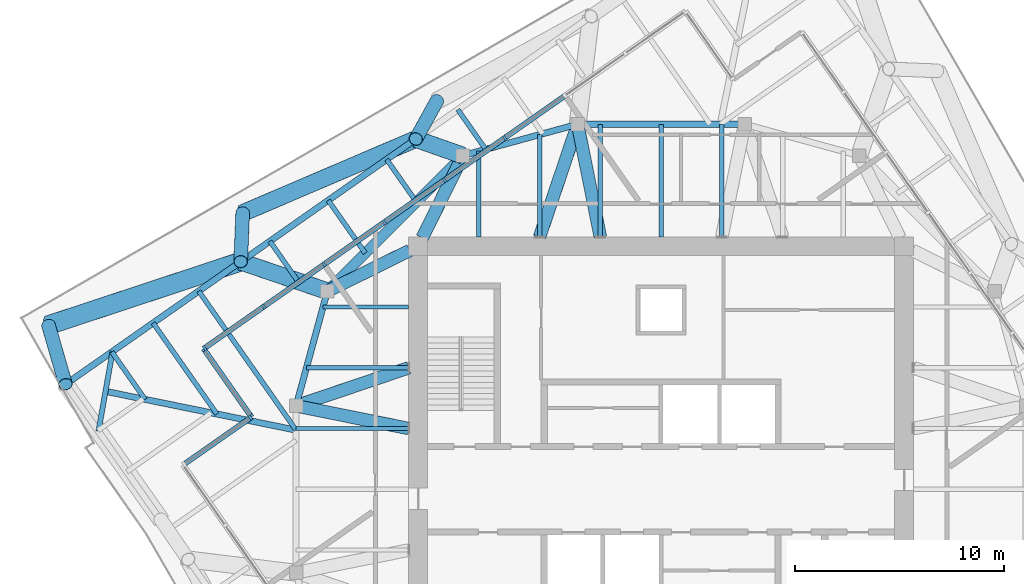
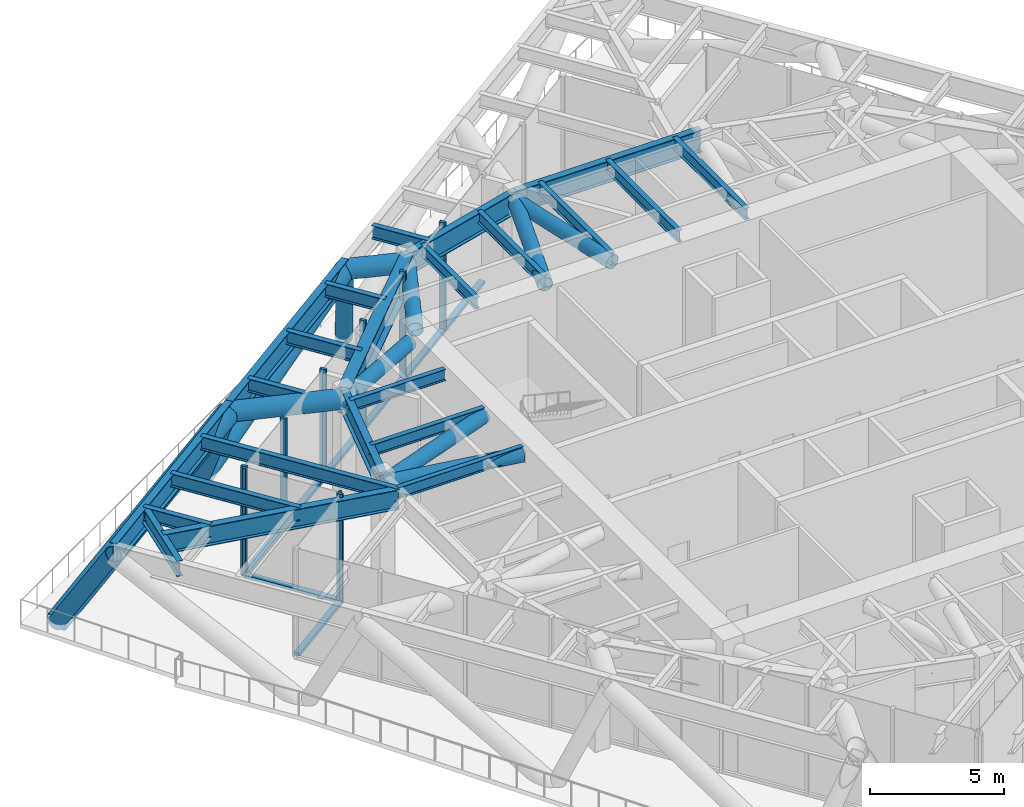
# One storey, part 4 of 16: 30 members, 23 beams, 3 elements without a shape of their own.
"""IFC4 building model written with IfcOpenShell, lengths in metres."""

from ifc_helpers import new_model, si_unit, direction, frame, origin, origin_2d, place, context, subcontext, project, spatial, rectangle, hollow_circle, i_section, extrude, material, material_profile, profile_set, type_object, element, aggregate, save


model = new_model("IFC4")

# Units and contexts
model_context = context("Model", 3, precision=1e-05, world=origin(), true_north=direction((0.0, 1.0)))
body_context = subcontext(model_context, "Body", "Model", "MODEL_VIEW")
ifc_project = project(units=[si_unit("LENGTHUNIT", "METRE"), si_unit("AREAUNIT", "SQUARE_METRE"), si_unit("VOLUMEUNIT", "CUBIC_METRE"), si_unit("PLANEANGLEUNIT", "RADIAN"), si_unit("MASSUNIT", "GRAM", prefix="KILO")], contexts=[model_context])

# Site, building, storey
site_placement = place(None, origin())
site = spatial("IfcSite", under=ifc_project, at=site_placement, CompositionType="ELEMENT")
building_placement = place(site_placement, origin())
building = spatial("IfcBuilding", under=site, at=building_placement, Name="Torsade Residences", CompositionType="ELEMENT")
storey_placement = place(building_placement, frame((0.0, 0.0, 235.39990234375)))
storey = spatial("IfcBuildingStorey", under=building, at=storey_placement, Name="L65", CompositionType="ELEMENT", Elevation=235.39990234375)

# Beams
ifc_material_1 = material(Name="Steel grade 300", Category="steel")
ifc_material_profile_1 = material_profile(ifc_material_1, i_section(OverallWidth=0.300048828125, OverallDepth=0.89990234375, WebThickness=0.011962890625, FlangeThickness=0.02490234375, at=origin_2d()), Name="900WB175")
ifc_profile_set_1 = profile_set([ifc_material_profile_1], Name="Steel grade 300")
beam_type_1 = type_object("IfcBeamType", Name="CORNER GIRDER 900WB175", PredefinedType="BEAM", material=ifc_profile_set_1)
beam_1_placement = place(storey_placement, frame((13.364013671875, 34.696533203125, 4.400146484375), z_axis=(0.979880626756, -0.199584461589, 0.0), x_axis=(0.199584461589, 0.979880626756, 0.0)))
element("IfcBeam", 1, at=beam_1_placement, inside=storey, type_object=beam_type_1, Name="Corner girder 13 L66", PredefinedType="BEAM", context=body_context, shape_type="SweptSolid", body=[
    extrude(i_section(OverallWidth=0.300048828125, OverallDepth=0.89990234375, WebThickness=0.011962890625, FlangeThickness=0.02490234375, at=origin_2d()), origin(), (0.0, 0.0, 1.0), 9.323486328125),
])
ifc_material_2 = material(Name="Steel grade 300", Category="steel")
ifc_material_profile_2 = material_profile(ifc_material_2, i_section(OverallWidth=0.25, OverallDepth=0.699951171875, WebThickness=0.010009765625, FlangeThickness=0.02001953125, at=origin_2d()), Name="700WB130")
ifc_profile_set_2 = profile_set([ifc_material_profile_2], Name="Steel grade 300")
beam_type_2 = type_object("IfcBeamType", Name="CORNER TRIMMER 700WB130", PredefinedType="BEAM", material=ifc_profile_set_2)
beam_2_placement = place(storey_placement, frame((13.0263671875, 32.78173828125, 4.5), z_axis=(0.173645660267, 0.984808196894, 0.0), x_axis=(-0.984808196894, 0.173645660267, 0.0)))
element("IfcBeam", 2, at=beam_2_placement, inside=storey, type_object=beam_type_2, Name="Corner trimmer 13 L66", PredefinedType="BEAM", context=body_context, shape_type="SweptSolid", body=[
    extrude(i_section(OverallWidth=0.25, OverallDepth=0.699951171875, WebThickness=0.010009765625, FlangeThickness=0.02001953125, at=origin_2d()), origin(), (0.0, 0.0, 1.0), 3.888916015625),
])

# Curtain wall, members
ifc_material_3 = material(Name="Aluminium and glass", Category="aluminium")
curtain_wall_type = type_object("IfcCurtainWallType", Name="TRANSFER LEVEL CURTAIN WALL HIGH ZONE", PredefinedType="NOTDEFINED", material=ifc_material_3)
curtain_wall_1_placement = place(storey_placement, origin())
curtain_wall_1 = element("IfcCurtainWall", 3, at=curtain_wall_1_placement, inside=storey, type_object=curtain_wall_type, Name="Curtain wall L65 face 7", PredefinedType="NOTDEFINED")
ifc_material_4 = material(Name="Aluminium mullion", Category="aluminium")
ifc_material_profile_3 = material_profile(ifc_material_4, rectangle(XDim=0.25, YDim=0.1201171875, at=origin_2d()), Name="HIGH ZONE TRANSFER CURTAIN WALL MULLION 250x120")
ifc_profile_set_3 = profile_set([ifc_material_profile_3], Name="Aluminium mullion")
member_type_1 = type_object("IfcMemberType", Name="HIGH ZONE TRANSFER CURTAIN WALL MULLION 250x120", PredefinedType="MULLION", material=ifc_profile_set_3)
member_1_placement = place(storey_placement, frame((32.505859375, 46.848388671875, 0.0), z_axis=(0.0, 0.0, 1.0), x_axis=(0.57357645894, -0.819152028472, 0.0)))
member_1 = element("IfcMember", 4, at=member_1_placement, type_object=member_type_1, Name="Mullion 4", PredefinedType="MULLION", context=body_context, shape_type="SweptSolid", body=[
    extrude(rectangle(XDim=0.25, YDim=0.1201171875, at=origin_2d()), origin(), (0.0, 0.0, 1.0), 5.0),
])
member_2_placement = place(storey_placement, frame((29.6181640625, 44.82666015625, 0.0), z_axis=(0.0, 0.0, 1.0), x_axis=(0.57357645894, -0.819152028472, 0.0)))
member_2 = element("IfcMember", 5, at=member_2_placement, type_object=member_type_1, Name="Mullion 5", PredefinedType="MULLION", context=body_context, shape_type="SweptSolid", body=[
    extrude(rectangle(XDim=0.25, YDim=0.1201171875, at=origin_2d()), origin(), (0.0, 0.0, 1.0), 5.0),
])
member_3_placement = place(storey_placement, frame((26.730712890625, 42.8046875, 0.0), z_axis=(0.0, 0.0, 1.0), x_axis=(0.57357645894, -0.819152028472, 0.0)))
member_3 = element("IfcMember", 6, at=member_3_placement, type_object=member_type_1, Name="Mullion 6", PredefinedType="MULLION", context=body_context, shape_type="SweptSolid", body=[
    extrude(rectangle(XDim=0.25, YDim=0.1201171875, at=origin_2d()), origin(), (0.0, 0.0, 1.0), 5.0),
])
member_4_placement = place(storey_placement, frame((23.84326171875, 40.782958984375, 0.0), z_axis=(0.0, 0.0, 1.0), x_axis=(0.57357645894, -0.819152028472, 0.0)))
member_4 = element("IfcMember", 7, at=member_4_placement, type_object=member_type_1, Name="Mullion 7", PredefinedType="MULLION", context=body_context, shape_type="SweptSolid", body=[
    extrude(rectangle(XDim=0.25, YDim=0.1201171875, at=origin_2d()), origin(), (0.0, 0.0, 1.0), 5.0),
])
member_5_placement = place(storey_placement, frame((20.955810546875, 38.760986328125, 0.0), z_axis=(0.0, 0.0, 1.0), x_axis=(0.57357645894, -0.819152028472, 0.0)))
member_5 = element("IfcMember", 8, at=member_5_placement, type_object=member_type_1, Name="Mullion 8", PredefinedType="MULLION", context=body_context, shape_type="SweptSolid", body=[
    extrude(rectangle(XDim=0.25, YDim=0.1201171875, at=origin_2d()), origin(), (0.0, 0.0, 1.0), 5.0),
])
member_6_placement = place(storey_placement, frame((18.117431640625, 36.773681640625, 0.0), z_axis=(0.0, 0.0, 1.0), x_axis=(0.57357645894, -0.819152028472, 0.0)))
member_6 = element("IfcMember", 9, at=member_6_placement, type_object=member_type_1, Name="Mullion 9", PredefinedType="MULLION", context=body_context, shape_type="SweptSolid", body=[
    extrude(rectangle(XDim=0.25, YDim=0.1201171875, at=origin_2d()), origin(), (0.0, 0.0, 1.0), 5.0),
])

curtain_wall_2_placement = place(storey_placement, origin())
curtain_wall_2 = element("IfcCurtainWall", 10, at=curtain_wall_2_placement, inside=storey, type_object=curtain_wall_type, Name="Curtain wall L65 face 8", PredefinedType="NOTDEFINED")
member_7_placement = place(storey_placement, frame((18.1025390625, 36.690185546875, 0.0), z_axis=(0.0, 0.0, 1.0), x_axis=(0.819152117278, 0.573576332112, 0.0)))
member_7 = element("IfcMember", 11, at=member_7_placement, type_object=member_type_1, Name="Mullion 1", PredefinedType="MULLION", context=body_context, shape_type="SweptSolid", body=[
    extrude(rectangle(XDim=0.25, YDim=0.1201171875, at=origin_2d()), origin(), (0.0, 0.0, 1.0), 5.0),
])
member_8_placement = place(storey_placement, frame((20.328125, 33.51171875, 0.0), z_axis=(0.0, 0.0, 1.0), x_axis=(0.819152117278, 0.573576332112, 0.0)))
member_8 = element("IfcMember", 12, at=member_8_placement, type_object=member_type_1, Name="Mullion 2", PredefinedType="MULLION", context=body_context, shape_type="SweptSolid", body=[
    extrude(rectangle(XDim=0.25, YDim=0.1201171875, at=origin_2d()), origin(), (0.0, 0.0, 1.0), 5.0),
])

# Curtain wall, member
curtain_wall_3_placement = place(storey_placement, origin())
curtain_wall_3 = element("IfcCurtainWall", 13, at=curtain_wall_3_placement, inside=storey, type_object=curtain_wall_type, Name="Curtain wall L65 face 9", PredefinedType="NOTDEFINED")
member_9_placement = place(storey_placement, frame((20.3134765625, 33.42822265625, 0.0), z_axis=(0.0, 0.0, 1.0), x_axis=(0.573576499872, -0.819151999811, 0.0)))
member_9 = element("IfcMember", 14, at=member_9_placement, type_object=member_type_1, Name="Mullion 1", PredefinedType="MULLION", context=body_context, shape_type="SweptSolid", body=[
    extrude(rectangle(XDim=0.25, YDim=0.1201171875, at=origin_2d()), origin(), (0.0, 0.0, 1.0), 5.0),
])

# Member
ifc_material_5 = material(Name="Aluminium transom", Category="aluminium")
ifc_material_profile_4 = material_profile(ifc_material_5, rectangle(XDim=0.25, YDim=0.139892578125, at=origin_2d()), Name="HIGH ZONE TRANSFER CURTAIN WALL TRANSOM 250x140")
ifc_profile_set_4 = profile_set([ifc_material_profile_4], Name="Aluminium transom")
member_type_2 = type_object("IfcMemberType", Name="HIGH ZONE TRANSFER CURTAIN WALL TRANSOM 250x140", PredefinedType="USERDEFINED", material=ifc_profile_set_4)
member_10_placement = place(storey_placement, frame((35.34423828125, 48.8359375, 0.070068359375), z_axis=(-0.819147702826, -0.573582636552, 0.0), x_axis=(0.573582636552, -0.819147702826, 0.0)))
member_10 = element("IfcMember", 15, at=member_10_placement, type_object=member_type_2, Name="Transom 3.1", ObjectType="TRANSOM", PredefinedType="USERDEFINED", context=body_context, shape_type="SweptSolid", body=[
    extrude(rectangle(XDim=0.25, YDim=0.139892578125, at=origin_2d()), origin(), (0.0, 0.0, 1.0), 3.405029296875),
])

member_11_placement = place(storey_placement, frame((32.45654296875, 46.814208984375, 0.070068359375), z_axis=(-0.819124112374, -0.573616325192, 0.0), x_axis=(0.573616325192, -0.819124112374, 0.0)))
member_11 = element("IfcMember", 16, at=member_11_placement, type_object=member_type_2, Name="Transom 4.1", ObjectType="TRANSOM", PredefinedType="USERDEFINED", context=body_context, shape_type="SweptSolid", body=[
    extrude(rectangle(XDim=0.25, YDim=0.139892578125, at=origin_2d()), origin(), (0.0, 0.0, 1.0), 3.405029296875),
])

member_12_placement = place(storey_placement, frame((29.569091796875, 44.792236328125, 0.070068359375), z_axis=(-0.819147702826, -0.573582636552, 0.0), x_axis=(0.573582636552, -0.819147702826, 0.0)))
member_12 = element("IfcMember", 17, at=member_12_placement, type_object=member_type_2, Name="Transom 5.1", ObjectType="TRANSOM", PredefinedType="USERDEFINED", context=body_context, shape_type="SweptSolid", body=[
    extrude(rectangle(XDim=0.25, YDim=0.139892578125, at=origin_2d()), origin(), (0.0, 0.0, 1.0), 3.405029296875),
])

member_13_placement = place(storey_placement, frame((26.681640625, 42.770263671875, 0.070068359375), z_axis=(-0.819181389945, -0.573534524129, 0.0), x_axis=(0.573534524129, -0.819181389945, 0.0)))
member_13 = element("IfcMember", 18, at=member_13_placement, type_object=member_type_2, Name="Transom 6.1", ObjectType="TRANSOM", PredefinedType="USERDEFINED", context=body_context, shape_type="SweptSolid", body=[
    extrude(rectangle(XDim=0.25, YDim=0.139892578125, at=origin_2d()), origin(), (0.0, 0.0, 1.0), 3.405029296875),
])

member_14_placement = place(storey_placement, frame((23.794189453125, 40.74853515625, 0.070068359375), z_axis=(-0.819147702826, -0.573582636552, 0.0), x_axis=(0.573582636552, -0.819147702826, 0.0)))
member_14 = element("IfcMember", 19, at=member_14_placement, type_object=member_type_2, Name="Transom 7.1", ObjectType="TRANSOM", PredefinedType="USERDEFINED", context=body_context, shape_type="SweptSolid", body=[
    extrude(rectangle(XDim=0.25, YDim=0.139892578125, at=origin_2d()), origin(), (0.0, 0.0, 1.0), 3.405029296875),
])

member_15_placement = place(storey_placement, frame((20.906494140625, 38.7265625, 0.070068359375), z_axis=(-0.819166763085, -0.573555415158, 0.0), x_axis=(0.573555415158, -0.819166763085, 0.0)))
member_15 = element("IfcMember", 20, at=member_15_placement, type_object=member_type_2, Name="Transom 8.1", ObjectType="TRANSOM", PredefinedType="USERDEFINED", context=body_context, shape_type="SweptSolid", body=[
    extrude(rectangle(XDim=0.25, YDim=0.139892578125, at=origin_2d()), origin(), (0.0, 0.0, 1.0), 3.344970703125),
])

aggregate(curtain_wall_1, [member_1, member_2, member_3, member_4, member_5, member_6, member_10, member_11, member_12, member_13, member_14, member_15])

member_16_placement = place(storey_placement, frame((18.136962890625, 36.640869140625, 0.070068359375), z_axis=(0.573614860738, -0.8191251379, 0.0), x_axis=(0.8191251379, 0.573614860738, 0.0)))
member_16 = element("IfcMember", 21, at=member_16_placement, type_object=member_type_2, Name="Transom 1.1", ObjectType="TRANSOM", PredefinedType="USERDEFINED", context=body_context, shape_type="SweptSolid", body=[
    extrude(rectangle(XDim=0.25, YDim=0.139892578125, at=origin_2d()), origin(), (0.0, 0.0, 1.0), 3.760009765625),
])

aggregate(curtain_wall_2, [member_7, member_8, member_16])

member_17_placement = place(storey_placement, frame((20.26416015625, 33.393798828125, 0.070068359375), z_axis=(-0.8191251379, -0.573614860738, 0.0), x_axis=(0.573614860738, -0.8191251379, 0.0)))
member_17 = element("IfcMember", 22, at=member_17_placement, type_object=member_type_2, Name="Transom 1.1", ObjectType="TRANSOM", PredefinedType="USERDEFINED", context=body_context, shape_type="SweptSolid", body=[
    extrude(rectangle(XDim=0.25, YDim=0.139892578125, at=origin_2d()), origin(), (0.0, 0.0, 1.0), 3.760009765625),
])

aggregate(curtain_wall_3, [member_9, member_17])

# Beams
ifc_material_6 = material(Name="Steel grade 300", Category="steel")
ifc_material_profile_5 = material_profile(ifc_material_6, i_section(OverallWidth=0.208984375, OverallDepth=0.528076171875, WebThickness=0.009521484375, FlangeThickness=0.01318359375, FilletRadius=0.013916015625, at=origin_2d()), Name="530UB82.0")
ifc_profile_set_5 = profile_set([ifc_material_profile_5], Name="Steel grade 300")
beam_type_3 = type_object("IfcBeamType", Name="INNER FLOOR BEAM 530UB82.0", PredefinedType="JOIST", material=ifc_profile_set_5)
beam_3_placement = place(storey_placement, frame((31.262451171875, 42.10009765625, 4.586181640625), z_axis=(0.0, 1.0, 0.0), x_axis=(-1.0, 0.0, 0.0)))
element("IfcBeam", 23, at=beam_3_placement, inside=storey, type_object=beam_type_3, Name="Inner floor beam IN01 L66", PredefinedType="JOIST", context=body_context, shape_type="SweptSolid", body=[
    extrude(i_section(OverallWidth=0.208984375, OverallDepth=0.528076171875, WebThickness=0.009521484375, FlangeThickness=0.01318359375, FilletRadius=0.013916015625, at=origin_2d()), origin(), (0.0, 0.0, 1.0), 4.10791015625),
])
beam_4_placement = place(storey_placement, frame((34.175048828125, 42.10009765625, 4.586181640625), z_axis=(0.0, 1.0, 0.0), x_axis=(-1.0, 0.0, 0.0)))
element("IfcBeam", 24, at=beam_4_placement, inside=storey, type_object=beam_type_3, Name="Inner floor beam IN02 L66", PredefinedType="JOIST", context=body_context, shape_type="SweptSolid", body=[
    extrude(i_section(OverallWidth=0.208984375, OverallDepth=0.528076171875, WebThickness=0.009521484375, FlangeThickness=0.01318359375, FilletRadius=0.013916015625, at=origin_2d()), origin(), (0.0, 0.0, 1.0), 4.902099609375),
])
for number, where, z_axis, x_axis, name in (
    (25, (37.08740234375, 42.10009765625, 4.586181640625), (0.0, 1.0, 0.0), (-1.0, 0.0, 0.0), "Inner floor beam IN03 L66"),
    (26, (40.0, 42.10009765625, 4.586181640625), (0.0, 1.0, 0.0), (-1.0, 0.0, 0.0), "Inner floor beam IN04 L66"),
    (27, (42.91259765625, 42.10009765625, 4.586181640625), (0.0, 1.0, 0.0), (-1.0, 0.0, 0.0), "Inner floor beam IN05 L66"),
):
    element("IfcBeam", number, at=place(storey_placement, frame(where, z_axis=z_axis, x_axis=x_axis)), inside=storey, type_object=beam_type_3, Name=name, PredefinedType="JOIST", context=body_context, shape_type="SweptSolid", body=[
        extrude(i_section(OverallWidth=0.208984375, OverallDepth=0.528076171875, WebThickness=0.009521484375, FlangeThickness=0.01318359375, FilletRadius=0.013916015625, at=origin_2d()), origin(), (0.0, 0.0, 1.0), 5.39990234375),
    ])
beam_5_placement = place(storey_placement, frame((27.89990234375, 38.737548828125, 4.586181640625), z_axis=(-1.0, 0.0, 0.0), x_axis=(0.0, -1.0, 0.0)))
element("IfcBeam", 28, at=beam_5_placement, inside=storey, type_object=beam_type_3, Name="Inner floor beam IW01 L66", PredefinedType="JOIST", context=body_context, shape_type="SweptSolid", body=[
    extrude(i_section(OverallWidth=0.208984375, OverallDepth=0.528076171875, WebThickness=0.009521484375, FlangeThickness=0.01318359375, FilletRadius=0.013916015625, at=origin_2d()), origin(), (0.0, 0.0, 1.0), 4.10791015625),
])
beam_6_placement = place(storey_placement, frame((27.89990234375, 35.824951171875, 4.586181640625), z_axis=(-1.0, 0.0, 0.0), x_axis=(0.0, -1.0, 0.0)))
element("IfcBeam", 29, at=beam_6_placement, inside=storey, type_object=beam_type_3, Name="Inner floor beam IW02 L66", PredefinedType="JOIST", context=body_context, shape_type="SweptSolid", body=[
    extrude(i_section(OverallWidth=0.208984375, OverallDepth=0.528076171875, WebThickness=0.009521484375, FlangeThickness=0.01318359375, FilletRadius=0.013916015625, at=origin_2d()), origin(), (0.0, 0.0, 1.0), 4.902099609375),
])
beam_7_placement = place(storey_placement, frame((27.89990234375, 32.91259765625, 4.586181640625), z_axis=(-1.0, 0.0, 0.0), x_axis=(0.0, -1.0, 0.0)))
element("IfcBeam", 30, at=beam_7_placement, inside=storey, type_object=beam_type_3, Name="Inner floor beam IW03 L66", PredefinedType="JOIST", context=body_context, shape_type="SweptSolid", body=[
    extrude(i_section(OverallWidth=0.208984375, OverallDepth=0.528076171875, WebThickness=0.009521484375, FlangeThickness=0.01318359375, FilletRadius=0.013916015625, at=origin_2d()), origin(), (0.0, 0.0, 1.0), 5.39990234375),
])
ifc_material_7 = material(Name="Steel grade 300", Category="steel")
ifc_material_profile_6 = material_profile(ifc_material_7, i_section(OverallWidth=0.5, OverallDepth=1.199951171875, WebThickness=0.01611328125, FlangeThickness=0.0400390625, at=origin_2d()), Name="1200WB455")
ifc_profile_set_6 = profile_set([ifc_material_profile_6], Name="Steel grade 300")
beam_type_4 = type_object("IfcBeamType", Name="RING CORNER GIRDER 1200WB455", PredefinedType="BEAM", material=ifc_profile_set_6)
beam_8_placement = place(storey_placement, frame((30.5, 46.0, 4.25), z_axis=(-0.707106781187, -0.707106781187, 0.0), x_axis=(0.707106781187, -0.707106781187, 0.0)))
element("IfcBeam", 31, at=beam_8_placement, inside=storey, type_object=beam_type_4, Name="Ring girder IR07 L66", PredefinedType="BEAM", context=body_context, shape_type="SweptSolid", body=[
    extrude(i_section(OverallWidth=0.5, OverallDepth=1.199951171875, WebThickness=0.01611328125, FlangeThickness=0.0400390625, at=origin_2d()), origin(), (0.0, 0.0, 1.0), 9.1923828125),
])
ifc_material_8 = material(Name="Steel grade 300", Category="steel")
ifc_material_profile_7 = material_profile(ifc_material_8, i_section(OverallWidth=0.300048828125, OverallDepth=1.0, WebThickness=0.01611328125, FlangeThickness=0.028076171875, at=origin_2d()), Name="1000WB215")
ifc_profile_set_7 = profile_set([ifc_material_profile_7], Name="Steel grade 300")
beam_type_5 = type_object("IfcBeamType", Name="RING GIRDER 1000WB215", PredefinedType="BEAM", material=ifc_profile_set_7)
beam_9_placement = place(storey_placement, frame((44.0, 47.5, 4.35009765625), z_axis=(-1.0, 0.0, 0.0), x_axis=(0.0, -1.0, 0.0)))
element("IfcBeam", 32, at=beam_9_placement, inside=storey, type_object=beam_type_5, Name="Ring girder IR05 L66", PredefinedType="BEAM", context=body_context, shape_type="SweptSolid", body=[
    extrude(i_section(OverallWidth=0.300048828125, OverallDepth=1.0, WebThickness=0.01611328125, FlangeThickness=0.028076171875, at=origin_2d()), origin(), (0.0, 0.0, 1.0), 8.0),
])
for number, where, z_axis, x_axis, name in (
    (33, (36.0, 47.5, 4.35009765625), (-0.964763821238, -0.263117405792, 0.0), (0.263117405792, -0.964763821238, 0.0), "Ring girder IR06 L66"),
    (34, (24.0, 39.5, 4.35009765625), (-0.263117405792, -0.964763821238, 0.0), (0.964763821238, -0.263117405792, 0.0), "Ring girder IR08 L66"),
):
    element("IfcBeam", number, at=place(storey_placement, frame(where, z_axis=z_axis, x_axis=x_axis)), inside=storey, type_object=beam_type_5, Name=name, PredefinedType="BEAM", context=body_context, shape_type="SweptSolid", body=[
        extrude(i_section(OverallWidth=0.300048828125, OverallDepth=1.0, WebThickness=0.01611328125, FlangeThickness=0.028076171875, at=origin_2d()), origin(), (0.0, 0.0, 1.0), 5.700927734375),
    ])
ifc_material_9 = material(Name="Steel grade 300", Category="steel")
ifc_material_profile_8 = material_profile(ifc_material_9, i_section(OverallWidth=0.22900390625, OverallDepth=0.612060546875, WebThickness=0.011962890625, FlangeThickness=0.01953125, FilletRadius=0.013916015625, at=origin_2d()), Name="610UB125")
ifc_profile_set_8 = profile_set([ifc_material_profile_8], Name="Steel grade 300")
beam_type_6 = type_object("IfcBeamType", Name="SECONDARY BEAM 610UB125", PredefinedType="JOIST", material=ifc_profile_set_8)
beam_10_placement = place(storey_placement, frame((30.25537109375, 48.20263671875, 4.544189453125), z_axis=(0.573567996949, -0.819157953557, 0.0), x_axis=(0.819157953557, 0.573567996949, 0.0)))
element("IfcBeam", 35, at=beam_10_placement, inside=storey, type_object=beam_type_6, Name="Floor beam FN06 L66", PredefinedType="JOIST", context=body_context, shape_type="SweptSolid", body=[
    extrude(i_section(OverallWidth=0.22900390625, OverallDepth=0.612060546875, WebThickness=0.011962890625, FlangeThickness=0.01953125, FilletRadius=0.013916015625, at=origin_2d()), origin(), (0.0, 0.0, 1.0), 2.326171875),
])
beam_11_placement = place(storey_placement, frame((26.84228515625, 45.812744140625, 4.544189453125), z_axis=(0.573547823109, -0.819172078752, 0.0), x_axis=(0.819172078752, 0.573547823109, 0.0)))
element("IfcBeam", 36, at=beam_11_placement, inside=storey, type_object=beam_type_6, Name="Floor beam FN07 L66", PredefinedType="JOIST", context=body_context, shape_type="SweptSolid", body=[
    extrude(i_section(OverallWidth=0.22900390625, OverallDepth=0.612060546875, WebThickness=0.011962890625, FlangeThickness=0.01953125, FilletRadius=0.013916015625, at=origin_2d()), origin(), (0.0, 0.0, 1.0), 2.491943359375),
])
beam_12_placement = place(storey_placement, frame((24.04345703125, 43.85302734375, 4.544189453125), z_axis=(0.573600013401, -0.819135534955, 0.0), x_axis=(0.819135534955, 0.573600013401, 0.0)))
element("IfcBeam", 37, at=beam_12_placement, inside=storey, type_object=beam_type_6, Name="Floor beam FN08 L66", PredefinedType="JOIST", context=body_context, shape_type="SweptSolid", body=[
    extrude(i_section(OverallWidth=0.22900390625, OverallDepth=0.612060546875, WebThickness=0.011962890625, FlangeThickness=0.01953125, FilletRadius=0.013916015625, at=origin_2d()), origin(), (0.0, 0.0, 1.0), 3.09423828125),
])
beam_13_placement = place(storey_placement, frame((21.244873046875, 41.893310546875, 4.544189453125), z_axis=(0.573560664637, -0.819163087535, 0.0), x_axis=(0.819163087535, 0.573560664637, 0.0)))
element("IfcBeam", 38, at=beam_13_placement, inside=storey, type_object=beam_type_6, Name="Floor beam FN09 L66", PredefinedType="JOIST", context=body_context, shape_type="SweptSolid", body=[
    extrude(i_section(OverallWidth=0.22900390625, OverallDepth=0.612060546875, WebThickness=0.011962890625, FlangeThickness=0.01953125, FilletRadius=0.013916015625, at=origin_2d()), origin(), (0.0, 0.0, 1.0), 2.3330078125),
])
beam_14_placement = place(storey_placement, frame((17.83154296875, 39.50341796875, 4.544189453125), z_axis=(0.573577087251, -0.819151588523, 0.0), x_axis=(0.819151588523, 0.573577087251, 0.0)))
element("IfcBeam", 39, at=beam_14_placement, inside=storey, type_object=beam_type_6, Name="Floor beam FN10 L66", PredefinedType="JOIST", context=body_context, shape_type="SweptSolid", body=[
    extrude(i_section(OverallWidth=0.22900390625, OverallDepth=0.612060546875, WebThickness=0.011962890625, FlangeThickness=0.01953125, FilletRadius=0.013916015625, at=origin_2d()), origin(), (0.0, 0.0, 1.0), 8.13916015625),
])
beam_15_placement = place(storey_placement, frame((15.647216796875, 37.973876953125, 4.544189453125), z_axis=(0.573597638513, -0.819137197966, 0.0), x_axis=(0.819137197966, 0.573597638513, 0.0)))
element("IfcBeam", 40, at=beam_15_placement, inside=storey, type_object=beam_type_6, Name="Floor beam FN11 L66", PredefinedType="JOIST", context=body_context, shape_type="SweptSolid", body=[
    extrude(i_section(OverallWidth=0.22900390625, OverallDepth=0.612060546875, WebThickness=0.011962890625, FlangeThickness=0.01953125, FilletRadius=0.013916015625, at=origin_2d()), origin(), (0.0, 0.0, 1.0), 5.328369140625),
])
beam_16_placement = place(storey_placement, frame((13.667724609375, 36.587646484375, 4.544189453125), z_axis=(0.573521270253, -0.819190669238, 0.0), x_axis=(0.819190669238, 0.573521270253, 0.0)))
element("IfcBeam", 41, at=beam_16_placement, inside=storey, type_object=beam_type_6, Name="Floor beam FN12 L66", PredefinedType="JOIST", context=body_context, shape_type="SweptSolid", body=[
    extrude(i_section(OverallWidth=0.22900390625, OverallDepth=0.612060546875, WebThickness=0.011962890625, FlangeThickness=0.01953125, FilletRadius=0.013916015625, at=origin_2d()), origin(), (0.0, 0.0, 1.0), 2.780517578125),
])

# Members
ifc_material_10 = material(Name="Steel grade 450", Category="steel")
ifc_material_profile_9 = material_profile(ifc_material_10, hollow_circle(Radius=0.304931640625, WallThickness=0.01611328125, at=origin_2d()), Name="610.0x16.0CHS")
ifc_profile_set_9 = profile_set([ifc_material_profile_9], Name="Steel grade 450")
member_type_3 = type_object("IfcMemberType", Name="TRANSFER FLOOR BRACE 610.0x16.0CHS", PredefinedType="BRACE", material=ifc_profile_set_9)
member_18_placement = place(storey_placement, frame((36.0, 47.5, 4.35009765625), z_axis=(0.197387517864, -0.980201418973, 0.015599552377), x_axis=(0.980320704809, 0.197411538983, 0.0)))
element("IfcMember", 42, at=member_18_placement, inside=storey, type_object=member_type_3, Name="Transfer floor brace TT7 top IR06IN03", PredefinedType="BRACE", context=body_context, shape_type="SweptSolid", body=[
    extrude(hollow_circle(Radius=0.304931640625, WallThickness=0.01611328125, at=origin_2d()), origin(), (0.0, 0.0, 1.0), 5.509033203125),
])
member_19_placement = place(storey_placement, frame((36.0, 47.5, 4.35009765625), z_axis=(-0.320133484365, -0.947252495944, 0.01507518214), x_axis=(0.947360151124, -0.320169867513, 0.0)))
element("IfcMember", 43, at=member_19_placement, inside=storey, type_object=member_type_3, Name="Transfer floor brace TT7 top IR06IN02", PredefinedType="BRACE", context=body_context, shape_type="SweptSolid", body=[
    extrude(hollow_circle(Radius=0.304931640625, WallThickness=0.01611328125, at=origin_2d()), origin(), (0.0, 0.0, 1.0), 5.70068359375),
])
for number, where, z_axis, x_axis, name in (
    (44, (30.5, 46.0, 4.35009765625), (-0.443105036702, -0.896469701914, 0.0), (0.896469701914, -0.443105036702, 0.0), "Transfer floor brace TT7 top IR07C"),
    (45, (24.0, 39.5, 4.35009765625), (0.896469701914, 0.443105036702, 0.0), (-0.443105036702, 0.896469701914, 0.0), "Transfer floor brace TT7 top IR08C"),
):
    element("IfcMember", number, at=place(storey_placement, frame(where, z_axis=z_axis, x_axis=x_axis)), inside=storey, type_object=member_type_3, Name=name, PredefinedType="BRACE", context=body_context, shape_type="SweptSolid", body=[
        extrude(hollow_circle(Radius=0.304931640625, WallThickness=0.01611328125, at=origin_2d()), origin(), (0.0, 0.0, 1.0), 4.40234375),
    ])
member_20_placement = place(storey_placement, frame((22.5, 34.0, 4.35009765625), z_axis=(0.980201418973, -0.197387517864, 0.015599552377), x_axis=(0.197411538983, 0.980320704809, 0.0)))
element("IfcMember", 46, at=member_20_placement, inside=storey, type_object=member_type_3, Name="Transfer floor brace TT7 top IR09IW03", PredefinedType="BRACE", context=body_context, shape_type="SweptSolid", body=[
    extrude(hollow_circle(Radius=0.304931640625, WallThickness=0.01611328125, at=origin_2d()), origin(), (0.0, 0.0, 1.0), 5.509033203125),
])
member_21_placement = place(storey_placement, frame((22.5, 34.0, 4.35009765625), z_axis=(0.947252495944, 0.320133484365, 0.01507518214), x_axis=(-0.320169867513, 0.947360151124, 0.0)))
element("IfcMember", 47, at=member_21_placement, inside=storey, type_object=member_type_3, Name="Transfer floor brace TT7 top IR09IW02", PredefinedType="BRACE", context=body_context, shape_type="SweptSolid", body=[
    extrude(hollow_circle(Radius=0.304931640625, WallThickness=0.01611328125, at=origin_2d()), origin(), (0.0, 0.0, 1.0), 5.70068359375),
])
ifc_material_11 = material(Name="Steel grade 450", Category="steel")
ifc_material_profile_10 = material_profile(ifc_material_11, hollow_circle(Radius=0.406494140625, WallThickness=0.02490234375, at=origin_2d()), Name="813.0x25.0CHS")
ifc_profile_set_10 = profile_set([ifc_material_profile_10], Name="Steel grade 450")
member_type_4 = type_object("IfcMemberType", Name="TRANSFER FLOOR STRUT 813.0x25.0CHS", PredefinedType="STRUT", material=ifc_profile_set_10)
member_22_placement = place(storey_placement, frame((28.24169921875, 46.792724609375, 4.35009765625), z_axis=(0.943555805599, -0.331213589274, 0.0), x_axis=(0.331213589274, 0.943555805599, 0.0)))
element("IfcMember", 48, at=member_22_placement, inside=storey, type_object=member_type_4, Name="Transfer floor strut TT7 top 11IR07", PredefinedType="STRUT", context=body_context, shape_type="SweptSolid", body=[
    extrude(hollow_circle(Radius=0.406494140625, WallThickness=0.02490234375, at=origin_2d()), origin(), (0.0, 0.0, 1.0), 2.393310546875),
])
member_23_placement = place(storey_placement, frame((19.845458984375, 40.91357421875, 4.35009765625), z_axis=(0.946701170915, -0.322113167985, 0.0), x_axis=(0.322113167985, 0.946701170915, 0.0)))
element("IfcMember", 49, at=member_23_placement, inside=storey, type_object=member_type_4, Name="Transfer floor strut TT7 top 12IR08", PredefinedType="STRUT", context=body_context, shape_type="SweptSolid", body=[
    extrude(hollow_circle(Radius=0.406494140625, WallThickness=0.02490234375, at=origin_2d()), origin(), (0.0, 0.0, 1.0), 4.388427734375),
])

# Beams
ifc_material_12 = material(Name="Steel grade 300", Category="steel")
ifc_material_profile_11 = material_profile(ifc_material_12, i_section(OverallWidth=0.300048828125, OverallDepth=1.0, WebThickness=0.01611328125, FlangeThickness=0.028076171875, at=origin_2d()), Name="1000WB215")
ifc_profile_set_11 = profile_set([ifc_material_profile_11], Name="Steel grade 300")
beam_type_7 = type_object("IfcBeamType", Name="TRANSFER TRUSS CHORD 1000WB215", PredefinedType="USERDEFINED", material=ifc_profile_set_11)
beam_17_placement = place(storey_placement, frame((28.24169921875, 46.792724609375, 4.35009765625), z_axis=(-0.819150225126, -0.573579034377, 0.0), x_axis=(0.573579034377, -0.819150225126, 0.0)))
element("IfcBeam", 50, at=beam_17_placement, inside=storey, type_object=beam_type_7, Name="Transfer truss TT7 top chord 11", ObjectType="TRANSFER TRUSS CHORD", PredefinedType="USERDEFINED", context=body_context, shape_type="SweptSolid", body=[
    extrude(i_section(OverallWidth=0.300048828125, OverallDepth=1.0, WebThickness=0.01611328125, FlangeThickness=0.028076171875, at=origin_2d()), origin(), (0.0, 0.0, 1.0), 10.25),
])
beam_18_placement = place(storey_placement, frame((19.845458984375, 40.91357421875, 4.35009765625), z_axis=(-0.819146870247, -0.573583825578, 0.0), x_axis=(0.573583825578, -0.819146870247, 0.0)))
element("IfcBeam", 51, at=beam_18_placement, inside=storey, type_object=beam_type_7, Name="Transfer truss TT7 top chord 12", ObjectType="TRANSFER TRUSS CHORD", PredefinedType="USERDEFINED", context=body_context, shape_type="SweptSolid", body=[
    extrude(i_section(OverallWidth=0.300048828125, OverallDepth=1.0, WebThickness=0.01611328125, FlangeThickness=0.028076171875, at=origin_2d()), origin(), (0.0, 0.0, 1.0), 10.250244140625),
])

# Members
ifc_material_13 = material(Name="Steel grade 450", Category="steel")
ifc_material_profile_12 = material_profile(ifc_material_13, hollow_circle(Radius=0.406494140625, WallThickness=0.02490234375, at=origin_2d()), Name="813.0x25.0CHS")
ifc_profile_set_12 = profile_set([ifc_material_profile_12], Name="Steel grade 450")
member_type_5 = type_object("IfcMemberType", Name="TRANSFER TRUSS DIAGONAL 813.0x25.0CHS", PredefinedType="BRACE", material=ifc_profile_set_12)
member_24_placement = place(storey_placement, frame((19.940185546875, 43.24462890625, -0.199951171875), z_axis=(0.821139315929, 0.350957788383, 0.450065389259), x_axis=(-0.393011776937, 0.919533437776, 0.0)))
element("IfcMember", 52, at=member_24_placement, inside=storey, type_object=member_type_5, Name="Transfer truss TT7 diagonal 11", PredefinedType="BRACE", context=body_context, shape_type="SweptSolid", body=[
    extrude(hollow_circle(Radius=0.406494140625, WallThickness=0.02490234375, at=origin_2d()), origin(), (0.0, 0.0, 1.0), 10.10986328125),
])
ifc_material_14 = material(Name="Steel grade 450", Category="steel")
ifc_material_profile_13 = material_profile(ifc_material_14, hollow_circle(Radius=0.45703125, WallThickness=0.028076171875, at=origin_2d()), Name="914.0x28.0CHS")
ifc_profile_set_13 = profile_set([ifc_material_profile_13], Name="Steel grade 450")
member_type_6 = type_object("IfcMemberType", Name="TRANSFER TRUSS DIAGONAL 914.0x28.0CHS", PredefinedType="BRACE", material=ifc_profile_set_13)
member_25_placement = place(storey_placement, frame((10.63037109375, 37.86962890625, -0.199951171875), z_axis=(0.859736145488, 0.283989674445, 0.424503975188), x_axis=(-0.313653077457, 0.94953764907, 0.0)))
element("IfcMember", 53, at=member_25_placement, inside=storey, type_object=member_type_6, Name="Transfer truss TT7 diagonal 12", PredefinedType="BRACE", context=body_context, shape_type="SweptSolid", body=[
    extrude(hollow_circle(Radius=0.45703125, WallThickness=0.028076171875, at=origin_2d()), origin(), (0.0, 0.0, 1.0), 10.718505859375),
])
ifc_material_15 = material(Name="Steel grade 450", Category="steel")
ifc_material_profile_14 = material_profile(ifc_material_15, hollow_circle(Radius=0.330078125, WallThickness=0.01806640625, at=origin_2d()), Name="660.0x18.0CHS")
ifc_profile_set_14 = profile_set([ifc_material_profile_14], Name="Steel grade 450")
member_type_7 = type_object("IfcMemberType", Name="TRANSFER TRUSS RAKING STRUT 660.0x18.0CHS", PredefinedType="STRUT", material=ifc_profile_set_14)
member_26_placement = place(storey_placement, frame((29.25, 48.61962890625, -0.199951171875), z_axis=(-0.201429875817, -0.364963622455, 0.908970604262), x_axis=(0.875506002967, -0.483207242049, 0.0)))
element("IfcMember", 54, at=member_26_placement, inside=storey, type_object=member_type_7, Name="Transfer truss TT7 raking strut 11", PredefinedType="STRUT", context=body_context, shape_type="SweptSolid", body=[
    extrude(hollow_circle(Radius=0.330078125, WallThickness=0.01806640625, at=origin_2d()), origin(), (0.0, 0.0, 1.0), 5.005615234375),
])
member_27_placement = place(storey_placement, frame((19.940185546875, 43.24462890625, -0.199951171875), z_axis=(-0.018525560781, -0.455881583355, 0.88984761929), x_axis=(0.999175347152, -0.040603271334, 0.0)))
element("IfcMember", 55, at=member_27_placement, inside=storey, type_object=member_type_7, Name="Transfer truss TT7 raking strut 12", PredefinedType="STRUT", context=body_context, shape_type="SweptSolid", body=[
    extrude(hollow_circle(Radius=0.330078125, WallThickness=0.01806640625, at=origin_2d()), origin(), (0.0, 0.0, 1.0), 5.11328125),
])
member_28_placement = place(storey_placement, frame((10.63037109375, 37.86962890625, -0.199951171875), z_axis=(0.150940300895, -0.522821549237, 0.838972379295), x_axis=(0.960761714562, 0.277375067068, 0.0)))
element("IfcMember", 56, at=member_28_placement, inside=storey, type_object=member_type_7, Name="Transfer truss TT7 raking strut 13", PredefinedType="STRUT", context=body_context, shape_type="SweptSolid", body=[
    extrude(hollow_circle(Radius=0.330078125, WallThickness=0.01806640625, at=origin_2d()), origin(), (0.0, 0.0, 1.0), 5.42333984375),
])

save(model, "model.ifc")
